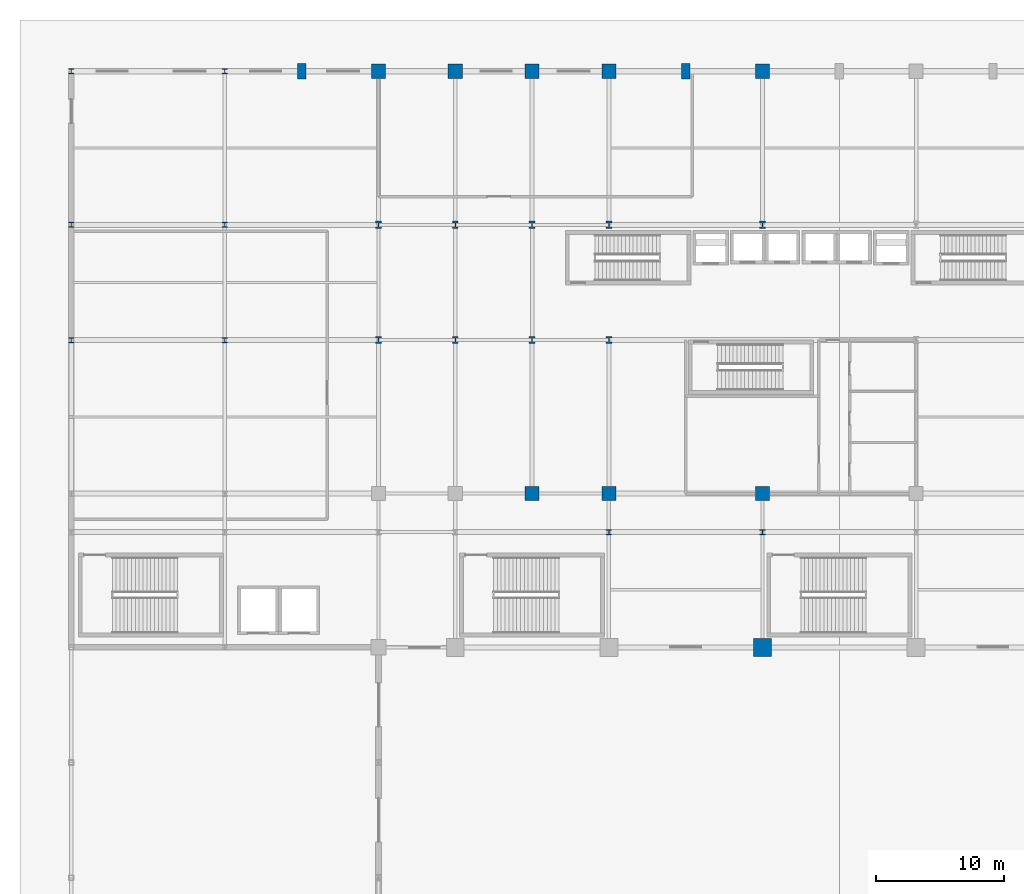
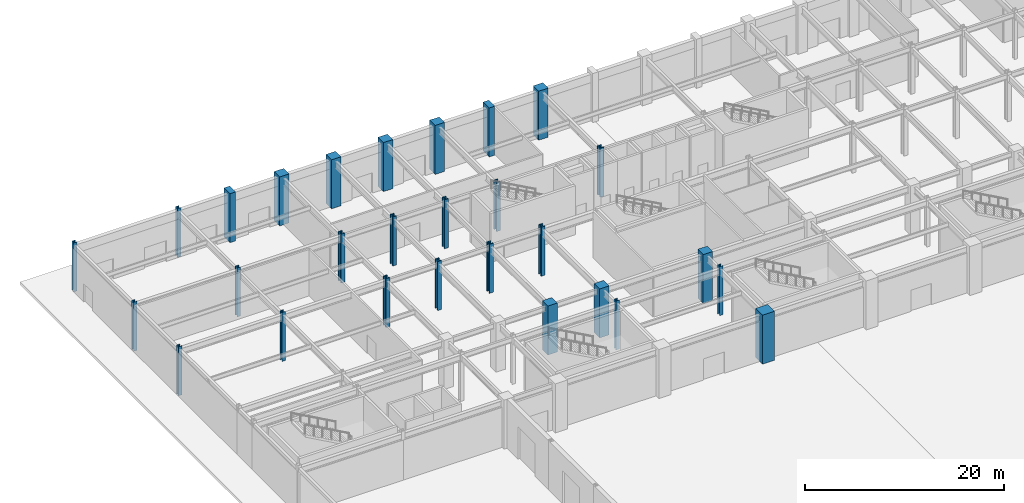
# One storey, part 7 of 44: 28 columns.
"""IFC4 building model written with IfcOpenShell, lengths in metres."""

from ifc_helpers import new_model, si_unit, direction, frame, origin, origin_2d, place, context, subcontext, project, spatial, rectangle, i_section, extrude, material, material_profile, profile_set, type_object, element, save


model = new_model("IFC4")

# Units and contexts
model_context = context("Model", 3, precision=1e-05, world=origin(), true_north=direction((0.0, 1.0)))
body_context = subcontext(model_context, "Body", "Model", "MODEL_VIEW")
ifc_project = project(units=[si_unit("LENGTHUNIT", "METRE"), si_unit("AREAUNIT", "SQUARE_METRE"), si_unit("VOLUMEUNIT", "CUBIC_METRE"), si_unit("PLANEANGLEUNIT", "RADIAN"), si_unit("MASSUNIT", "GRAM", prefix="KILO")], contexts=[model_context])

# Site, building, storey
site_placement = place(None, origin())
site = spatial("IfcSite", under=ifc_project, at=site_placement, CompositionType="ELEMENT")
building_placement = place(site_placement, origin())
building = spatial("IfcBuilding", under=site, at=building_placement, Name="Kaldorvane Square Convention Centre", CompositionType="ELEMENT")
storey_placement = place(building_placement, origin())
storey = spatial("IfcBuildingStorey", under=building, at=storey_placement, Name="L00", CompositionType="ELEMENT", Elevation=0.0)

# Columns
ifc_material_1 = material(Name="Concrete f'c = 55 MPa (Normalweight)", Category="concrete")
ifc_material_profile_1 = material_profile(ifc_material_1, rectangle(XDim=1.399993896484375, YDim=1.399993896484375, at=origin_2d()), Name="RC1400X1400")
ifc_profile_set_1 = profile_set([ifc_material_profile_1], Name="Concrete f'c = 55 MPa (Normalweight)")
column_type_1 = type_object("IfcColumnType", Name="COL-MEGA-1400", PredefinedType="COLUMN", material=ifc_profile_set_1)
column_placement = place(storey_placement, frame((54.0, 72.0, 0.0), z_axis=(0.0, 0.0, 1.0), x_axis=(1.0, 0.0, 0.0)))
element("IfcColumn", 1, at=column_placement, inside=storey, type_object=column_type_1, Name="Column MC-01 (L00)", PredefinedType="COLUMN", context=body_context, shape_type="SweptSolid", body=[
    extrude(rectangle(XDim=1.399993896484375, YDim=1.399993896484375, at=origin_2d()), origin(), (0.0, 0.0, 1.0), 6.0),
])
ifc_material_profile_2 = material_profile(ifc_material_1, rectangle(XDim=1.100006103515625, YDim=1.100006103515625, at=origin_2d()), Name="RC1100X1100")
ifc_profile_set_2 = profile_set([ifc_material_profile_2], Name="Concrete f'c = 55 MPa (Normalweight)")
column_type_2 = type_object("IfcColumnType", Name="COL-RC-1100", PredefinedType="COLUMN", material=ifc_profile_set_2)
for number, where, z_axis, x_axis, name in (
    (2, (24.0, 117.0, 0.0), (0.0, 0.0, 1.0), (1.0, 0.0, 0.0), "Column CC-01 (L00)"),
    (3, (30.0, 117.0, 0.0), (0.0, 0.0, 1.0), (1.0, 0.0, 0.0), "Column CC-01 (L00)"),
    (4, (36.0, 84.0, 0.0), (0.0, 0.0, 1.0), (1.0, 0.0, 0.0), "Column CC-01 (L00)"),
    (5, (36.0, 117.0, 0.0), (0.0, 0.0, 1.0), (1.0, 0.0, 0.0), "Column CC-01 (L00)"),
    (6, (42.0, 84.0, 0.0), (0.0, 0.0, 1.0), (1.0, 0.0, 0.0), "Column CC-01 (L00)"),
    (7, (42.0, 117.0, 0.0), (0.0, 0.0, 1.0), (1.0, 0.0, 0.0), "Column CC-01 (L00)"),
    (8, (54.0, 84.0, 0.0), (0.0, 0.0, 1.0), (1.0, 0.0, 0.0), "Column CC-01 (L00)"),
    (9, (54.0, 117.0, 0.0), (0.0, 0.0, 1.0), (1.0, 0.0, 0.0), "Column CC-01 (L00)"),
):
    element("IfcColumn", number, at=place(storey_placement, frame(where, z_axis=z_axis, x_axis=x_axis)), inside=storey, type_object=column_type_2, Name=name, PredefinedType="COLUMN", context=body_context, shape_type="SweptSolid", body=[
        extrude(rectangle(XDim=1.100006103515625, YDim=1.100006103515625, at=origin_2d()), origin(), (0.0, 0.0, 1.0), 6.0),
    ])
ifc_material_2 = material(Name="Steel ASTM A992 Gr. 50", Category="steel")
ifc_material_profile_3 = material_profile(ifc_material_2, i_section(OverallWidth=0.40130615234375, OverallDepth=0.3993072509765625, WebThickness=0.02490234375, FlangeThickness=0.0395965576171875, FilletRadius=0.0305023193359375, at=origin_2d()), Name="W14X211")
ifc_profile_set_3 = profile_set([ifc_material_profile_3], Name="Steel ASTM A992 Gr. 50")
column_type_3 = type_object("IfcColumnType", Name="COL-STL-211", PredefinedType="COLUMN", material=ifc_profile_set_3)
for number, where, z_axis, x_axis, name in (
    (10, (0.0, 96.0, 0.0), (0.0, 0.0, 1.0), (1.0, 0.0, 0.0), "Column SC-08 (L00)"),
    (11, (0.0, 105.0, 0.0), (0.0, 0.0, 1.0), (1.0, 0.0, 0.0), "Column SC-08 (L00)"),
    (12, (0.0, 117.0, 0.0), (0.0, 0.0, 1.0), (1.0, 0.0, 0.0), "Column SC-08 (L00)"),
    (13, (12.0, 96.0, 0.0), (0.0, 0.0, 1.0), (1.0, 0.0, 0.0), "Column SC-08 (L00)"),
    (14, (12.0, 105.0, 0.0), (0.0, 0.0, 1.0), (1.0, 0.0, 0.0), "Column SC-08 (L00)"),
    (15, (12.0, 117.0, 0.0), (0.0, 0.0, 1.0), (1.0, 0.0, 0.0), "Column SC-08 (L00)"),
    (16, (42.0, 81.0, 0.0), (0.0, 0.0, 1.0), (1.0, 0.0, 0.0), "Column SC-08 (L00)"),
    (17, (54.0, 81.0, 0.0), (0.0, 0.0, 1.0), (1.0, 0.0, 0.0), "Column SC-08 (L00)"),
):
    element("IfcColumn", number, at=place(storey_placement, frame(where, z_axis=z_axis, x_axis=x_axis)), inside=storey, type_object=column_type_3, Name=name, PredefinedType="COLUMN", context=body_context, shape_type="SweptSolid", body=[
        extrude(i_section(OverallWidth=0.40130615234375, OverallDepth=0.3993072509765625, WebThickness=0.02490234375, FlangeThickness=0.0395965576171875, FilletRadius=0.0305023193359375, at=origin_2d()), origin(), (0.0, 0.0, 1.0), 6.0),
    ])
ifc_material_profile_4 = material_profile(ifc_material_2, i_section(OverallWidth=0.45440673828125, OverallDepth=0.569000244140625, WebThickness=0.0780029296875, FlangeThickness=0.12469482421875, FilletRadius=0.0305023193359375, at=origin_2d()), Name="W14X730")
ifc_profile_set_4 = profile_set([ifc_material_profile_4], Name="Steel ASTM A992 Gr. 50")
column_type_4 = type_object("IfcColumnType", Name="COL-STL-730", PredefinedType="COLUMN", material=ifc_profile_set_4)
for number, where, z_axis, x_axis, name in (
    (18, (24.0, 96.0, 0.0), (0.0, 0.0, 1.0), (1.0, 0.0, 0.0), "Column SC-01 (L00)"),
    (19, (24.0, 105.0, 0.0), (0.0, 0.0, 1.0), (1.0, 0.0, 0.0), "Column SC-01 (L00)"),
    (20, (30.0, 96.0, 0.0), (0.0, 0.0, 1.0), (1.0, 0.0, 0.0), "Column SC-01 (L00)"),
    (21, (30.0, 105.0, 0.0), (0.0, 0.0, 1.0), (1.0, 0.0, 0.0), "Column SC-01 (L00)"),
    (22, (36.0, 96.0, 0.0), (0.0, 0.0, 1.0), (1.0, 0.0, 0.0), "Column SC-01 (L00)"),
    (23, (36.0, 105.0, 0.0), (0.0, 0.0, 1.0), (1.0, 0.0, 0.0), "Column SC-01 (L00)"),
    (24, (42.0, 96.0, 0.0), (0.0, 0.0, 1.0), (1.0, 0.0, 0.0), "Column SC-01 (L00)"),
    (25, (42.0, 105.0, 0.0), (0.0, 0.0, 1.0), (1.0, 0.0, 0.0), "Column SC-01 (L00)"),
    (26, (54.0, 105.0, 0.0), (0.0, 0.0, 1.0), (1.0, 0.0, 0.0), "Column SC-01 (L00)"),
):
    element("IfcColumn", number, at=place(storey_placement, frame(where, z_axis=z_axis, x_axis=x_axis)), inside=storey, type_object=column_type_4, Name=name, PredefinedType="COLUMN", context=body_context, shape_type="SweptSolid", body=[
        extrude(i_section(OverallWidth=0.45440673828125, OverallDepth=0.569000244140625, WebThickness=0.0780029296875, FlangeThickness=0.12469482421875, FilletRadius=0.0305023193359375, at=origin_2d()), origin(), (0.0, 0.0, 1.0), 6.0),
    ])
ifc_material_profile_5 = material_profile(ifc_material_1, rectangle(XDim=0.649993896484375, YDim=1.1999969482421875, at=origin_2d()), Name="PIL1200X650")
ifc_profile_set_5 = profile_set([ifc_material_profile_5], Name="Concrete f'c = 55 MPa (Normalweight)")
column_type_5 = type_object("IfcColumnType", Name="PIL-BRUT-1200", PredefinedType="PILASTER", material=ifc_profile_set_5)
for number, where, z_axis, x_axis, name in (
    (27, (18.0, 117.0, 0.0), (0.0, 0.0, 1.0), (1.0, 0.0, 0.0), "Brutalist Colonnade Pilaster (L00)"),
    (28, (48.0, 117.0, 0.0), (0.0, 0.0, 1.0), (1.0, 0.0, 0.0), "Brutalist Colonnade Pilaster (L00)"),
):
    element("IfcColumn", number, at=place(storey_placement, frame(where, z_axis=z_axis, x_axis=x_axis)), inside=storey, type_object=column_type_5, Name=name, PredefinedType="PILASTER", context=body_context, shape_type="SweptSolid", body=[
        extrude(rectangle(XDim=0.649993896484375, YDim=1.1999969482421875, at=origin_2d()), origin(), (0.0, 0.0, 1.0), 6.0),
    ])

save(model, "model.ifc")
